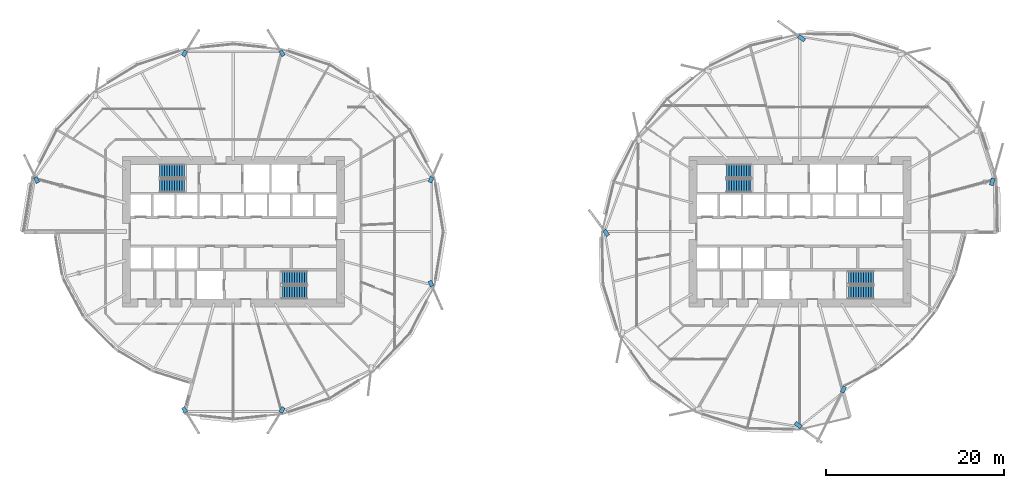
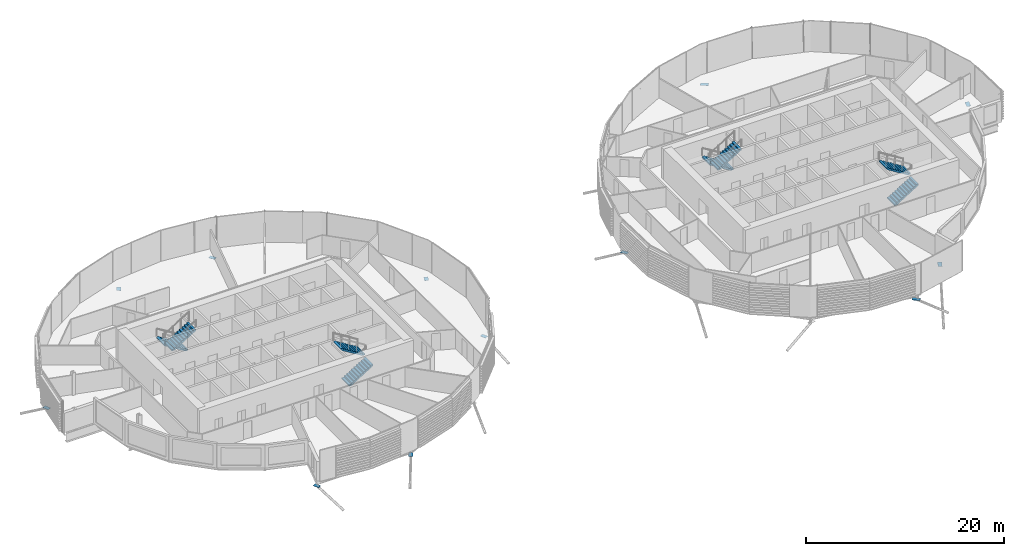
# One storey, part 26 of 38: 12 discrete accessories, 8 stair flights, 4 elements without a shape of their own.
"""IFC4 building model written with IfcOpenShell, lengths in metres."""

from ifc_helpers import new_model, si_unit, direction, frame, origin, origin_2d, place, context, subcontext, project, spatial, polyline, rectangle, outline, extrude, material, material_profile, profile_set, type_object, element, aggregate, save


model = new_model("IFC4")

# Units and contexts
model_context = context("Model", 3, precision=1e-05, world=origin(), true_north=direction((0.0, 1.0)))
body_context = subcontext(model_context, "Body", "Model", "MODEL_VIEW")
ifc_project = project(units=[si_unit("LENGTHUNIT", "METRE"), si_unit("AREAUNIT", "SQUARE_METRE"), si_unit("VOLUMEUNIT", "CUBIC_METRE"), si_unit("PLANEANGLEUNIT", "RADIAN"), si_unit("MASSUNIT", "GRAM", prefix="KILO")], contexts=[model_context])

# Site, building, storey
site_placement = place(None, origin())
site = spatial("IfcSite", under=ifc_project, at=site_placement, CompositionType="ELEMENT")
building_placement = place(site_placement, origin())
building = spatial("IfcBuilding", under=site, at=building_placement, Name="Rimbun Link Towers", CompositionType="ELEMENT")
storey_placement = place(building_placement, frame((0.0, 0.0, 71.800048828125)))
storey = spatial("IfcBuildingStorey", under=building, at=storey_placement, Name="L17", CompositionType="ELEMENT", Elevation=71.800048828125)

# Stair, stair flights
ifc_material_1 = material(Name="Concrete C40/50", Category="concrete")
stair_type = type_object("IfcStairType", Name="Exit stair 3800 rise", PredefinedType="HALF_TURN_STAIR", material=ifc_material_1)
stair_1_placement = place(storey_placement, origin())
stair_1 = element("IfcStair", 1, at=stair_1_placement, inside=storey, type_object=stair_type, Name="L17 EXIT STAIR A", PredefinedType="HALF_TURN_STAIR")
ifc_material_2 = material(Name="Concrete C40/50", Category="concrete")
stair_flight_type = type_object("IfcStairFlightType", Name="Exit stair flight 3800 rise", PredefinedType="STRAIGHT", material=ifc_material_2)
stair_flight_1_placement = place(storey_placement, frame((-37.199951171875, 6.800048828125, 0.0), z_axis=(0.0, 0.0, 1.0), x_axis=(-1.0, 0.0, 0.0)))
stair_flight_1 = element("IfcStairFlight", 2, at=stair_flight_1_placement, type_object=stair_flight_type, Name="ST1 flight 1", NumberOfRisers=11, NumberOfTreads=10, PredefinedType="STRAIGHT", RiserHeight=0.172727273, TreadLength=0.28, context=body_context, shape_type="SweptSolid", body=[
    extrude(outline(polyline([(0.0, 0.0), (0.0, 0.172607421875), (0.280029296875, 0.172607421875), (0.280029296875, 0.345458984375), (0.56005859375, 0.345458984375), (0.56005859375, 0.51806640625), (0.840087890625, 0.51806640625), (0.840087890625, 0.69091796875), (1.1201171875, 0.69091796875), (1.1201171875, 0.863525390625), (1.39990234375, 0.863525390625), (1.39990234375, 1.036376953125), (1.679931640625, 1.036376953125), (1.679931640625, 1.208984375), (1.9599609375, 1.208984375), (1.9599609375, 1.3818359375), (2.239990234375, 1.3818359375), (2.239990234375, 1.554443359375), (2.52001953125, 1.554443359375), (2.52001953125, 1.727294921875), (2.800048828125, 1.727294921875), (2.800048828125, 1.89990234375), (2.800048828125, 1.551025390625), (0.280029296875, 0.0), (0.0, 0.0)])), frame((0.0, 0.75, 0.0), z_axis=(0.0, -1.0, 0.0), x_axis=(1.0, 0.0, 0.0)), (0.0, 0.0, 1.0), 1.5),
])
stair_flight_2_placement = place(storey_placement, frame((-40.0, 5.14990234375, 1.89990234375), z_axis=(0.0, 0.0, 1.0), x_axis=(1.0, 0.0, 0.0)))
stair_flight_2 = element("IfcStairFlight", 3, at=stair_flight_2_placement, type_object=stair_flight_type, Name="ST1 flight 2", NumberOfRisers=11, NumberOfTreads=10, PredefinedType="STRAIGHT", RiserHeight=0.172727273, TreadLength=0.28, context=body_context, shape_type="SweptSolid", body=[
    extrude(outline(polyline([(0.0, 0.0), (0.0, 0.172607421875), (0.280029296875, 0.172607421875), (0.280029296875, 0.345458984375), (0.56005859375, 0.345458984375), (0.56005859375, 0.51806640625), (0.840087890625, 0.51806640625), (0.840087890625, 0.69091796875), (1.1201171875, 0.69091796875), (1.1201171875, 0.863525390625), (1.39990234375, 0.863525390625), (1.39990234375, 1.036376953125), (1.679931640625, 1.036376953125), (1.679931640625, 1.208984375), (1.9599609375, 1.208984375), (1.9599609375, 1.3818359375), (2.239990234375, 1.3818359375), (2.239990234375, 1.554443359375), (2.52001953125, 1.554443359375), (2.52001953125, 1.727294921875), (2.800048828125, 1.727294921875), (2.800048828125, 1.89990234375), (2.800048828125, 1.551025390625), (0.280029296875, 0.0), (0.0, 0.0)])), frame((0.0, 0.75, 0.0), z_axis=(0.0, -1.0, 0.0), x_axis=(1.0, 0.0, 0.0)), (0.0, 0.0, 1.0), 1.5),
])
aggregate(stair_1, [stair_flight_1, stair_flight_2])

stair_2_placement = place(storey_placement, origin())
stair_2 = element("IfcStair", 4, at=stair_2_placement, inside=storey, type_object=stair_type, Name="L17 EXIT STAIR B", PredefinedType="HALF_TURN_STAIR")
stair_flight_3_placement = place(storey_placement, frame((-26.300048828125, -6.800048828125, 0.0), z_axis=(0.0, 0.0, 1.0), x_axis=(1.0, 0.0, 0.0)))
stair_flight_3 = element("IfcStairFlight", 5, at=stair_flight_3_placement, type_object=stair_flight_type, Name="ST2 flight 1", NumberOfRisers=11, NumberOfTreads=10, PredefinedType="STRAIGHT", RiserHeight=0.172727273, TreadLength=0.28, context=body_context, shape_type="SweptSolid", body=[
    extrude(outline(polyline([(0.0, 0.0), (0.0, 0.172607421875), (0.280029296875, 0.172607421875), (0.280029296875, 0.345458984375), (0.56005859375, 0.345458984375), (0.56005859375, 0.51806640625), (0.840087890625, 0.51806640625), (0.840087890625, 0.69091796875), (1.1201171875, 0.69091796875), (1.1201171875, 0.863525390625), (1.39990234375, 0.863525390625), (1.39990234375, 1.036376953125), (1.679931640625, 1.036376953125), (1.679931640625, 1.208984375), (1.9599609375, 1.208984375), (1.9599609375, 1.3818359375), (2.239990234375, 1.3818359375), (2.239990234375, 1.554443359375), (2.52001953125, 1.554443359375), (2.52001953125, 1.727294921875), (2.800048828125, 1.727294921875), (2.800048828125, 1.89990234375), (2.800048828125, 1.551025390625), (0.280029296875, 0.0), (0.0, 0.0)])), frame((0.0, 0.75, 0.0), z_axis=(0.0, -1.0, 0.0), x_axis=(1.0, 0.0, 0.0)), (0.0, 0.0, 1.0), 1.5),
])
stair_flight_4_placement = place(storey_placement, frame((-23.5, -5.14990234375, 1.89990234375), z_axis=(0.0, 0.0, 1.0), x_axis=(-1.0, 0.0, 0.0)))
stair_flight_4 = element("IfcStairFlight", 6, at=stair_flight_4_placement, type_object=stair_flight_type, Name="ST2 flight 2", NumberOfRisers=11, NumberOfTreads=10, PredefinedType="STRAIGHT", RiserHeight=0.172727273, TreadLength=0.28, context=body_context, shape_type="SweptSolid", body=[
    extrude(outline(polyline([(0.0, 0.0), (0.0, 0.172607421875), (0.280029296875, 0.172607421875), (0.280029296875, 0.345458984375), (0.56005859375, 0.345458984375), (0.56005859375, 0.51806640625), (0.840087890625, 0.51806640625), (0.840087890625, 0.69091796875), (1.1201171875, 0.69091796875), (1.1201171875, 0.863525390625), (1.39990234375, 0.863525390625), (1.39990234375, 1.036376953125), (1.679931640625, 1.036376953125), (1.679931640625, 1.208984375), (1.9599609375, 1.208984375), (1.9599609375, 1.3818359375), (2.239990234375, 1.3818359375), (2.239990234375, 1.554443359375), (2.52001953125, 1.554443359375), (2.52001953125, 1.727294921875), (2.800048828125, 1.727294921875), (2.800048828125, 1.89990234375), (2.800048828125, 1.551025390625), (0.280029296875, 0.0), (0.0, 0.0)])), frame((0.0, 0.75, 0.0), z_axis=(0.0, -1.0, 0.0), x_axis=(1.0, 0.0, 0.0)), (0.0, 0.0, 1.0), 1.5),
])
aggregate(stair_2, [stair_flight_3, stair_flight_4])

stair_3_placement = place(storey_placement, origin())
stair_3 = element("IfcStair", 7, at=stair_3_placement, inside=storey, type_object=stair_type, Name="L17 EXIT STAIR A", PredefinedType="HALF_TURN_STAIR")
stair_flight_5_placement = place(storey_placement, frame((26.300048828125, 6.800048828125, 0.0), z_axis=(0.0, 0.0, 1.0), x_axis=(-1.0, 0.0, 0.0)))
stair_flight_5 = element("IfcStairFlight", 8, at=stair_flight_5_placement, type_object=stair_flight_type, Name="ST3 flight 1", NumberOfRisers=11, NumberOfTreads=10, PredefinedType="STRAIGHT", RiserHeight=0.172727273, TreadLength=0.28, context=body_context, shape_type="SweptSolid", body=[
    extrude(outline(polyline([(0.0, 0.0), (0.0, 0.172607421875), (0.280029296875, 0.172607421875), (0.280029296875, 0.345458984375), (0.56005859375, 0.345458984375), (0.56005859375, 0.51806640625), (0.840087890625, 0.51806640625), (0.840087890625, 0.69091796875), (1.1201171875, 0.69091796875), (1.1201171875, 0.863525390625), (1.39990234375, 0.863525390625), (1.39990234375, 1.036376953125), (1.679931640625, 1.036376953125), (1.679931640625, 1.208984375), (1.9599609375, 1.208984375), (1.9599609375, 1.3818359375), (2.239990234375, 1.3818359375), (2.239990234375, 1.554443359375), (2.52001953125, 1.554443359375), (2.52001953125, 1.727294921875), (2.800048828125, 1.727294921875), (2.800048828125, 1.89990234375), (2.800048828125, 1.551025390625), (0.280029296875, 0.0), (0.0, 0.0)])), frame((0.0, 0.75, 0.0), z_axis=(0.0, -1.0, 0.0), x_axis=(1.0, 0.0, 0.0)), (0.0, 0.0, 1.0), 1.5),
])
stair_flight_6_placement = place(storey_placement, frame((23.5, 5.14990234375, 1.89990234375), z_axis=(0.0, 0.0, 1.0), x_axis=(1.0, 0.0, 0.0)))
stair_flight_6 = element("IfcStairFlight", 9, at=stair_flight_6_placement, type_object=stair_flight_type, Name="ST3 flight 2", NumberOfRisers=11, NumberOfTreads=10, PredefinedType="STRAIGHT", RiserHeight=0.172727273, TreadLength=0.28, context=body_context, shape_type="SweptSolid", body=[
    extrude(outline(polyline([(0.0, 0.0), (0.0, 0.172607421875), (0.280029296875, 0.172607421875), (0.280029296875, 0.345458984375), (0.56005859375, 0.345458984375), (0.56005859375, 0.51806640625), (0.840087890625, 0.51806640625), (0.840087890625, 0.69091796875), (1.1201171875, 0.69091796875), (1.1201171875, 0.863525390625), (1.39990234375, 0.863525390625), (1.39990234375, 1.036376953125), (1.679931640625, 1.036376953125), (1.679931640625, 1.208984375), (1.9599609375, 1.208984375), (1.9599609375, 1.3818359375), (2.239990234375, 1.3818359375), (2.239990234375, 1.554443359375), (2.52001953125, 1.554443359375), (2.52001953125, 1.727294921875), (2.800048828125, 1.727294921875), (2.800048828125, 1.89990234375), (2.800048828125, 1.551025390625), (0.280029296875, 0.0), (0.0, 0.0)])), frame((0.0, 0.75, 0.0), z_axis=(0.0, -1.0, 0.0), x_axis=(1.0, 0.0, 0.0)), (0.0, 0.0, 1.0), 1.5),
])
aggregate(stair_3, [stair_flight_5, stair_flight_6])

stair_4_placement = place(storey_placement, origin())
stair_4 = element("IfcStair", 10, at=stair_4_placement, inside=storey, type_object=stair_type, Name="L17 EXIT STAIR B", PredefinedType="HALF_TURN_STAIR")
stair_flight_7_placement = place(storey_placement, frame((37.199951171875, -6.800048828125, 0.0), z_axis=(0.0, 0.0, 1.0), x_axis=(1.0, 0.0, 0.0)))
stair_flight_7 = element("IfcStairFlight", 11, at=stair_flight_7_placement, type_object=stair_flight_type, Name="ST4 flight 1", NumberOfRisers=11, NumberOfTreads=10, PredefinedType="STRAIGHT", RiserHeight=0.172727273, TreadLength=0.28, context=body_context, shape_type="SweptSolid", body=[
    extrude(outline(polyline([(0.0, 0.0), (0.0, 0.172607421875), (0.280029296875, 0.172607421875), (0.280029296875, 0.345458984375), (0.56005859375, 0.345458984375), (0.56005859375, 0.51806640625), (0.840087890625, 0.51806640625), (0.840087890625, 0.69091796875), (1.1201171875, 0.69091796875), (1.1201171875, 0.863525390625), (1.39990234375, 0.863525390625), (1.39990234375, 1.036376953125), (1.679931640625, 1.036376953125), (1.679931640625, 1.208984375), (1.9599609375, 1.208984375), (1.9599609375, 1.3818359375), (2.239990234375, 1.3818359375), (2.239990234375, 1.554443359375), (2.52001953125, 1.554443359375), (2.52001953125, 1.727294921875), (2.800048828125, 1.727294921875), (2.800048828125, 1.89990234375), (2.800048828125, 1.551025390625), (0.280029296875, 0.0), (0.0, 0.0)])), frame((0.0, 0.75, 0.0), z_axis=(0.0, -1.0, 0.0), x_axis=(1.0, 0.0, 0.0)), (0.0, 0.0, 1.0), 1.5),
])
stair_flight_8_placement = place(storey_placement, frame((40.0, -5.14990234375, 1.89990234375), z_axis=(0.0, 0.0, 1.0), x_axis=(-1.0, 0.0, 0.0)))
stair_flight_8 = element("IfcStairFlight", 12, at=stair_flight_8_placement, type_object=stair_flight_type, Name="ST4 flight 2", NumberOfRisers=11, NumberOfTreads=10, PredefinedType="STRAIGHT", RiserHeight=0.172727273, TreadLength=0.28, context=body_context, shape_type="SweptSolid", body=[
    extrude(outline(polyline([(0.0, 0.0), (0.0, 0.172607421875), (0.280029296875, 0.172607421875), (0.280029296875, 0.345458984375), (0.56005859375, 0.345458984375), (0.56005859375, 0.51806640625), (0.840087890625, 0.51806640625), (0.840087890625, 0.69091796875), (1.1201171875, 0.69091796875), (1.1201171875, 0.863525390625), (1.39990234375, 0.863525390625), (1.39990234375, 1.036376953125), (1.679931640625, 1.036376953125), (1.679931640625, 1.208984375), (1.9599609375, 1.208984375), (1.9599609375, 1.3818359375), (2.239990234375, 1.3818359375), (2.239990234375, 1.554443359375), (2.52001953125, 1.554443359375), (2.52001953125, 1.727294921875), (2.800048828125, 1.727294921875), (2.800048828125, 1.89990234375), (2.800048828125, 1.551025390625), (0.280029296875, 0.0), (0.0, 0.0)])), frame((0.0, 0.75, 0.0), z_axis=(0.0, -1.0, 0.0), x_axis=(1.0, 0.0, 0.0)), (0.0, 0.0, 1.0), 1.5),
])
aggregate(stair_4, [stair_flight_7, stair_flight_8])

# Discrete accessories
ifc_material_3 = material(Name="Steel S355J2H", Category="steel")
ifc_material_profile = material_profile(ifc_material_3, rectangle(XDim=0.43310546875, YDim=0.43310546875, at=origin_2d()), Name="PL 433x433")
ifc_profile_set = profile_set([ifc_material_profile], Name="Steel S355J2H")
discrete_accessory_type = type_object("IfcDiscreteAccessoryType", Name="Link head end plate 433X20", PredefinedType="BRACKET", material=ifc_profile_set)
discrete_accessory_1_placement = place(storey_placement, frame((0.0, 0.0, -0.713134765625)))
element("IfcDiscreteAccessory", 13, at=discrete_accessory_1_placement, inside=storey, type_object=discrete_accessory_type, Name="Link head end plate T1 L17 01", PredefinedType="BRACKET", context=body_context, shape_type="SweptSolid", body=[
    extrude(outline(polyline([(-9.531494140625, 5.43408203125), (-9.270263671875, 6.033935546875), (-9.667236328125, 6.206787109375), (-9.928466796875, 5.60693359375), (-9.531494140625, 5.43408203125)])), origin(), (0.0, 0.0, 1.0), 0.02001953125),
])
discrete_accessory_2_placement = place(storey_placement, frame((0.0, 0.0, -0.863525390625)))
element("IfcDiscreteAccessory", 14, at=discrete_accessory_2_placement, inside=storey, type_object=discrete_accessory_type, Name="Link head end plate T1 L17 05", PredefinedType="BRACKET", context=body_context, shape_type="SweptSolid", body=[
    extrude(outline(polyline([(-25.928466796875, 19.818115234375), (-26.27490234375, 20.379638671875), (-26.643310546875, 20.15234375), (-26.296875, 19.5908203125), (-25.928466796875, 19.818115234375)])), origin(), (0.0, 0.0, 1.0), 0.02001953125),
])
discrete_accessory_3_placement = place(storey_placement, frame((0.0, 0.0, -0.863525390625)))
element("IfcDiscreteAccessory", 15, at=discrete_accessory_3_placement, inside=storey, type_object=discrete_accessory_type, Name="Link head end plate T1 L17 07", PredefinedType="BRACKET", context=body_context, shape_type="SweptSolid", body=[
    extrude(outline(polyline([(-37.203125, 19.5908203125), (-36.856689453125, 20.15234375), (-37.22509765625, 20.379638671875), (-37.571533203125, 19.818115234375), (-37.203125, 19.5908203125)])), origin(), (0.0, 0.0, 1.0), 0.02001953125),
])
discrete_accessory_4_placement = place(storey_placement, frame((0.0, 0.0, -1.098388671875)))
element("IfcDiscreteAccessory", 16, at=discrete_accessory_4_placement, inside=storey, type_object=discrete_accessory_type, Name="Link head end plate T1 L17 11", PredefinedType="BRACKET", context=body_context, shape_type="SweptSolid", body=[
    extrude(outline(polyline([(-53.453857421875, 5.5712890625), (-53.756591796875, 6.187255859375), (-54.145263671875, 5.99609375), (-53.84228515625, 5.38037109375), (-53.453857421875, 5.5712890625)])), origin(), (0.0, 0.0, 1.0), 0.02001953125),
])
discrete_accessory_5_placement = place(storey_placement, frame((0.0, 0.0, -0.863525390625)))
element("IfcDiscreteAccessory", 17, at=discrete_accessory_5_placement, inside=storey, type_object=discrete_accessory_type, Name="Link head end plate T1 L17 17", PredefinedType="BRACKET", context=body_context, shape_type="SweptSolid", body=[
    extrude(outline(polyline([(-37.571533203125, -19.818115234375), (-37.22509765625, -20.379638671875), (-36.856689453125, -20.15234375), (-37.203125, -19.5908203125), (-37.571533203125, -19.818115234375)])), origin(), (0.0, 0.0, 1.0), 0.02001953125),
])
discrete_accessory_6_placement = place(storey_placement, frame((0.0, 0.0, -0.863525390625)))
element("IfcDiscreteAccessory", 18, at=discrete_accessory_6_placement, inside=storey, type_object=discrete_accessory_type, Name="Link head end plate T1 L17 19", PredefinedType="BRACKET", context=body_context, shape_type="SweptSolid", body=[
    extrude(outline(polyline([(-26.296875, -19.5908203125), (-26.643310546875, -20.15234375), (-26.27490234375, -20.379638671875), (-25.928466796875, -19.818115234375), (-26.296875, -19.5908203125)])), origin(), (0.0, 0.0, 1.0), 0.02001953125),
])
discrete_accessory_7_placement = place(storey_placement, frame((0.0, 0.0, -0.713134765625)))
element("IfcDiscreteAccessory", 19, at=discrete_accessory_7_placement, inside=storey, type_object=discrete_accessory_type, Name="Link head end plate T1 L17 23", PredefinedType="BRACKET", context=body_context, shape_type="SweptSolid", body=[
    extrude(outline(polyline([(-9.928466796875, -5.60693359375), (-9.667236328125, -6.206787109375), (-9.270263671875, -6.033935546875), (-9.531494140625, -5.43408203125), (-9.928466796875, -5.60693359375)])), origin(), (0.0, 0.0, 1.0), 0.02001953125),
])
discrete_accessory_8_placement = place(storey_placement, frame((0.0, 0.0, -0.942138671875)))
element("IfcDiscreteAccessory", 20, at=discrete_accessory_8_placement, inside=storey, type_object=discrete_accessory_type, Name="Link head end plate T2 L17 03", PredefinedType="BRACKET", context=body_context, shape_type="SweptSolid", body=[
    extrude(outline(polyline([(32.411376953125, 21.6064453125), (31.732666015625, 22.102783203125), (31.47705078125, 21.75341796875), (32.155517578125, 21.2568359375), (32.411376953125, 21.6064453125)])), origin(), (0.0, 0.0, 1.0), 0.019775390625),
])
discrete_accessory_9_placement = place(storey_placement, frame((0.0, 0.0, -0.713134765625)))
element("IfcDiscreteAccessory", 21, at=discrete_accessory_9_placement, inside=storey, type_object=discrete_accessory_type, Name="Link head end plate T2 L17 09", PredefinedType="BRACKET", context=body_context, shape_type="SweptSolid", body=[
    extrude(outline(polyline([(10.434326171875, -0.315673828125), (9.992919921875, 0.27490234375), (9.64599609375, 0.015625), (10.087646484375, -0.574951171875), (10.434326171875, -0.315673828125)])), origin(), (0.0, 0.0, 1.0), 0.02001953125),
])
discrete_accessory_10_placement = place(storey_placement, frame((0.0, 0.0, -0.942138671875)))
element("IfcDiscreteAccessory", 22, at=discrete_accessory_10_placement, inside=storey, type_object=discrete_accessory_type, Name="Link head end plate T2 L17 15", PredefinedType="BRACKET", context=body_context, shape_type="SweptSolid", body=[
    extrude(outline(polyline([(31.088623046875, -21.6064453125), (31.767333984375, -22.102783203125), (32.02294921875, -21.75341796875), (31.344482421875, -21.2568359375), (31.088623046875, -21.6064453125)])), origin(), (0.0, 0.0, 1.0), 0.019775390625),
])
discrete_accessory_11_placement = place(storey_placement, frame((0.0, 0.0, -0.863525390625)))
element("IfcDiscreteAccessory", 23, at=discrete_accessory_11_placement, inside=storey, type_object=discrete_accessory_type, Name="Link head end plate T2 L17 16", PredefinedType="BRACKET", context=body_context, shape_type="SweptSolid", body=[
    extrude(outline(polyline([(36.60302734375, -17.246826171875), (36.2626953125, -17.926025390625), (36.649658203125, -18.1201171875), (36.990234375, -17.44091796875), (36.60302734375, -17.246826171875)])), origin(), (0.0, 0.0, 1.0), 0.02001953125),
])
discrete_accessory_12_placement = place(storey_placement, frame((0.0, 0.0, -1.098388671875)))
element("IfcDiscreteAccessory", 24, at=discrete_accessory_12_placement, inside=storey, type_object=discrete_accessory_type, Name="Link head end plate T2 L17 22", PredefinedType="BRACKET", context=body_context, shape_type="SweptSolid", body=[
    extrude(outline(polyline([(53.413818359375, 5.1357421875), (53.626953125, 5.908203125), (53.20947265625, 6.023193359375), (52.996337890625, 5.2509765625), (53.413818359375, 5.1357421875)])), origin(), (0.0, 0.0, 1.0), 0.02001953125),
])

save(model, "model.ifc")
